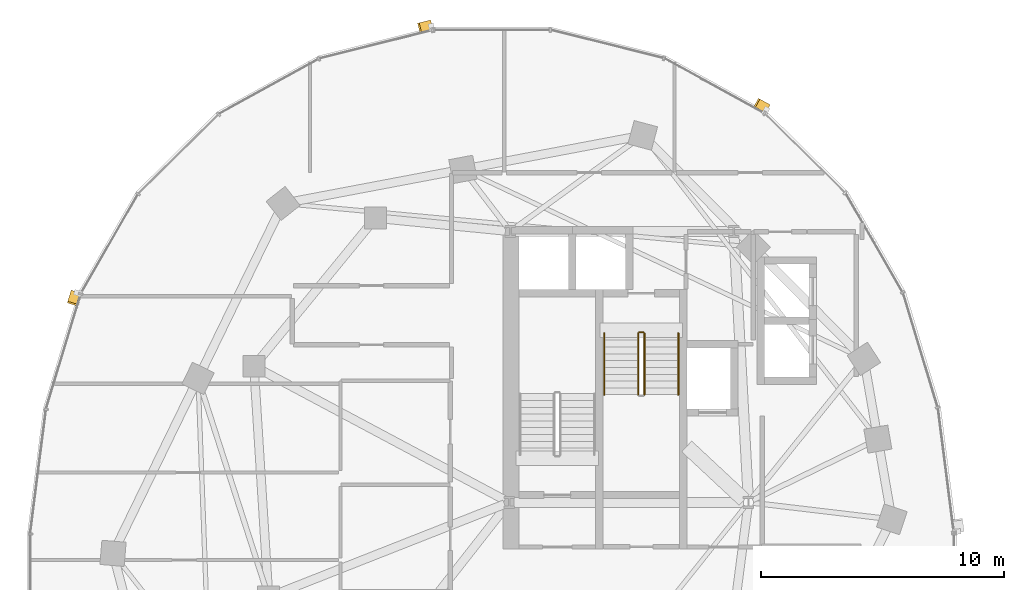
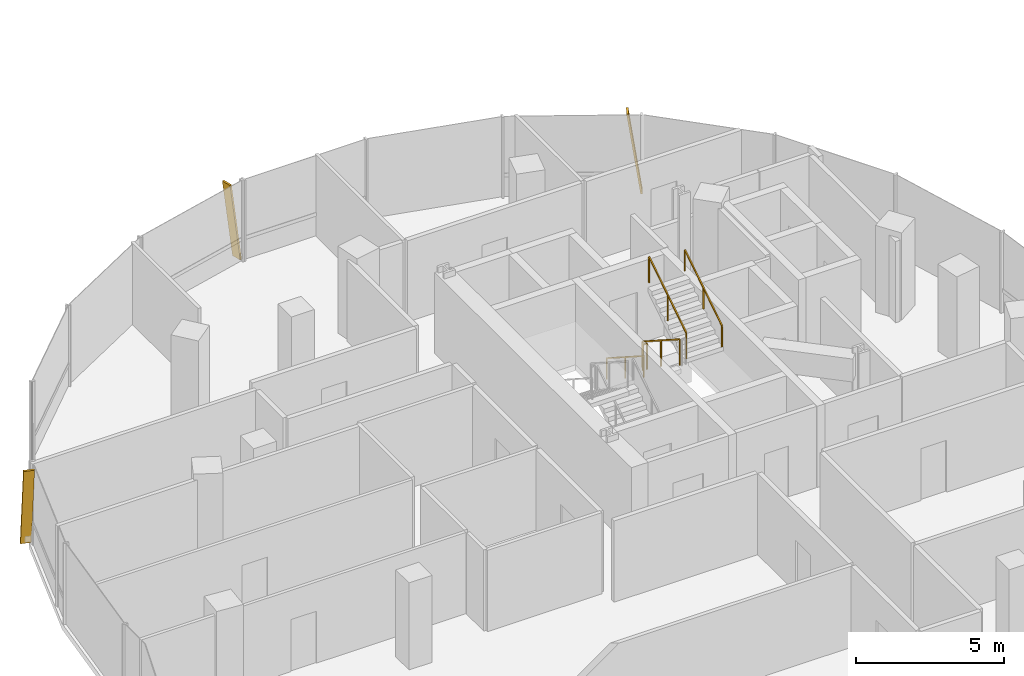
# One storey, part 21 of 23: 5 railings, 3 shading devices.
"""IFC4 building model written with IfcOpenShell, lengths in metres."""

from ifc_helpers import new_model, si_unit, direction, frame, origin, origin_2d, place, context, subcontext, project, spatial, rectangle, extrude, material, material_profile, profile_set, type_object, element, save


model = new_model("IFC4")

# Units and contexts
model_context = context("Model", 3, precision=1e-05, world=origin(), true_north=direction((0.0, 1.0)))
body_context = subcontext(model_context, "Body", "Model", "MODEL_VIEW")
ifc_project = project(units=[si_unit("LENGTHUNIT", "METRE"), si_unit("AREAUNIT", "SQUARE_METRE"), si_unit("VOLUMEUNIT", "CUBIC_METRE"), si_unit("PLANEANGLEUNIT", "RADIAN"), si_unit("MASSUNIT", "GRAM", prefix="KILO"), si_unit("THERMODYNAMICTEMPERATUREUNIT", "KELVIN"), si_unit("POWERUNIT", "WATT")], contexts=[model_context])

# Site, building, storey
site_placement = place(None, origin())
site = spatial("IfcSite", under=ifc_project, at=site_placement, CompositionType="ELEMENT")
building_placement = place(site_placement, origin())
building = spatial("IfcBuilding", under=site, at=building_placement, Name="Cundina Bronze Exchange", CompositionType="ELEMENT")
storey_placement = place(building_placement, frame((0.0, 0.0, 176.39990234375)))
storey = spatial("IfcBuildingStorey", under=building, at=storey_placement, Name="L46", CompositionType="ELEMENT", Elevation=176.39990234375)

# Railings
ifc_material_1 = material(Name="Steel ASTM A36 Painted", Category="steel")
railing_type_1 = type_object("IfcRailingType", Name="RLG-HND-900", PredefinedType="HANDRAIL", material=ifc_material_1)
railing_1_placement = place(storey_placement, frame((-27.389892578125, 10.85009765625, 0.18017578125)))
element("IfcRailing", 1, at=railing_1_placement, inside=storey, type_object=railing_type_1, Name="L46 ST-W2 stair handrail 1", PredefinedType="HANDRAIL", context=body_context, shape_type="SweptSolid", body=[
    extrude(rectangle(XDim=0.048095703125, YDim=0.048095703125, at=origin_2d()), frame((0.0, 0.0, 0.8759765625), z_axis=(0.0, -0.841199657755, 0.540724639528), x_axis=(1.0, 0.0, 0.0)), (0.0, 0.0, 1.0), 2.995849609375),
    extrude(rectangle(XDim=0.0419921875, YDim=0.0419921875, at=origin_2d()), origin(), (0.0, 0.0, 1.0), 0.851806640625),
    extrude(rectangle(XDim=0.0419921875, YDim=0.0419921875, at=origin_2d()), frame((0.0, -1.260009765625, 0.81005859375)), (0.0, 0.0, 1.0), 0.851806640625),
    extrude(rectangle(XDim=0.0419921875, YDim=0.0419921875, at=origin_2d()), frame((0.0, -2.52001953125, 1.619873046875)), (0.0, 0.0, 1.0), 0.851806640625),
])
railing_2_placement = place(storey_placement, frame((-24.330078125, 8.330078125, 1.97998046875)))
element("IfcRailing", 2, at=railing_2_placement, inside=storey, type_object=railing_type_1, Name="L46 ST-W2 stair handrail 2", PredefinedType="HANDRAIL", context=body_context, shape_type="SweptSolid", body=[
    extrude(rectangle(XDim=0.048095703125, YDim=0.048095703125, at=origin_2d()), frame((0.0, 0.0, 0.8759765625), z_axis=(0.0, 0.841162588446, 0.540782303519), x_axis=(-1.0, 0.0, 0.0)), (0.0, 0.0, 1.0), 2.995849609375),
    extrude(rectangle(XDim=0.0419921875, YDim=0.0419921875, at=origin_2d()), origin(), (0.0, 0.0, 1.0), 0.851806640625),
    extrude(rectangle(XDim=0.0419921875, YDim=0.0419921875, at=origin_2d()), frame((0.0, 1.260009765625, 0.81005859375)), (0.0, 0.0, 1.0), 0.851806640625),
    extrude(rectangle(XDim=0.0419921875, YDim=0.0419921875, at=origin_2d()), frame((0.0, 2.52001953125, 1.6201171875)), (0.0, 0.0, 1.0), 0.851806640625),
])
railing_type_2 = type_object("IfcRailingType", Name="RLG-STG-1100", PredefinedType="GUARDRAIL", material=ifc_material_1)
railing_3_placement = place(storey_placement, frame((-25.989990234375, 10.85009765625, 0.18017578125)))
element("IfcRailing", 3, at=railing_3_placement, inside=storey, type_object=railing_type_2, Name="L46 ST-W2 stair guard 1", PredefinedType="GUARDRAIL", context=body_context, shape_type="SweptSolid", body=[
    extrude(rectangle(XDim=0.048095703125, YDim=0.048095703125, at=origin_2d()), frame((0.0, 0.0, 1.076171875), z_axis=(0.0, -0.841199657755, 0.540724639528), x_axis=(1.0, 0.0, 0.0)), (0.0, 0.0, 1.0), 2.995849609375),
    extrude(rectangle(XDim=0.0419921875, YDim=0.0419921875, at=origin_2d()), origin(), (0.0, 0.0, 1.0), 1.052001953125),
    extrude(rectangle(XDim=0.0419921875, YDim=0.0419921875, at=origin_2d()), frame((0.0, -1.260009765625, 0.81005859375)), (0.0, 0.0, 1.0), 1.052001953125),
    extrude(rectangle(XDim=0.0419921875, YDim=0.0419921875, at=origin_2d()), frame((0.0, -2.52001953125, 1.619873046875)), (0.0, 0.0, 1.0), 1.052001953125),
])
railing_4_placement = place(storey_placement, frame((-25.72998046875, 8.330078125, 1.97998046875)))
element("IfcRailing", 4, at=railing_4_placement, inside=storey, type_object=railing_type_2, Name="L46 ST-W2 stair guard 3", PredefinedType="GUARDRAIL", context=body_context, shape_type="SweptSolid", body=[
    extrude(rectangle(XDim=0.048095703125, YDim=0.048095703125, at=origin_2d()), frame((0.0, 0.0, 1.076171875), z_axis=(0.0, 0.841162588446, 0.540782303519), x_axis=(-1.0, 0.0, 0.0)), (0.0, 0.0, 1.0), 2.995849609375),
    extrude(rectangle(XDim=0.0419921875, YDim=0.0419921875, at=origin_2d()), origin(), (0.0, 0.0, 1.0), 1.052001953125),
    extrude(rectangle(XDim=0.0419921875, YDim=0.0419921875, at=origin_2d()), frame((0.0, 1.260009765625, 0.81005859375)), (0.0, 0.0, 1.0), 1.052001953125),
    extrude(rectangle(XDim=0.0419921875, YDim=0.0419921875, at=origin_2d()), frame((0.0, 2.52001953125, 1.6201171875)), (0.0, 0.0, 1.0), 1.052001953125),
])
railing_5_placement = place(storey_placement, frame((-25.93994140625, 10.89990234375, 0.0)))
element("IfcRailing", 5, at=railing_5_placement, inside=storey, type_object=railing_type_2, Name="L46 ST-W2 stair guard 4", PredefinedType="GUARDRAIL", context=body_context, shape_type="SweptSolid", body=[
    extrude(rectangle(XDim=0.048095703125, YDim=0.048095703125, at=origin_2d()), frame((0.0, 0.0, 1.076171875), z_axis=(1.0, 0.0, 0.0), x_axis=(0.0, 1.0, 0.0)), (0.0, 0.0, 1.0), 0.159912109375),
    extrude(rectangle(XDim=0.0419921875, YDim=0.0419921875, at=origin_2d()), origin(), (0.0, 0.0, 1.0), 1.052001953125),
    extrude(rectangle(XDim=0.0419921875, YDim=0.0419921875, at=origin_2d()), frame((0.159912109375, 0.0, 0.0)), (0.0, 0.0, 1.0), 1.052001953125),
])

# Shading devices
ifc_material_2 = material(Name="Anodised Bronze Aluminium 6063-T6", Category="aluminium")
ifc_material_profile = material_profile(ifc_material_2, rectangle(XDim=0.070068359375, YDim=0.3798828125, at=origin_2d()), Name="FIN70X380", Category="aluminium")
ifc_profile_set = profile_set([ifc_material_profile], Name="Anodised Bronze Aluminium 6063-T6")
shading_device_type = type_object("IfcShadingDeviceType", Name="SHD-FIN-BRZ380", PredefinedType="USERDEFINED", material=ifc_profile_set)
for number, where, z_axis, x_axis, name in (
    (6, (-20.679931640625, 20.11181640625, 0.02001953125), (-0.125324460949, 0.068993954111, 0.989713905017), (0.867011652888, -0.477309551067, 0.143060778049), "L46 Diagonal Bronze Solar Fin 5"),
    (7, (-34.51953125, 23.556396484375, 0.02001953125), (-0.138788401144, -0.034715294885, 0.989713407007), (0.960133415413, 0.240159223467, 0.14306422331), "L46 Diagonal Bronze Solar Fin 1"),
    (8, (-49.151123046875, 12.5439453125, 0.02001953125), (-0.041483395017, -0.136967981441, 0.989706471636), (0.286882504107, 0.947215566191, 0.143112193758), "L46 Diagonal Bronze Solar Fin 5"),
):
    element("IfcShadingDevice", number, at=place(storey_placement, frame(where, z_axis=z_axis, x_axis=x_axis)), inside=storey, type_object=shading_device_type, Name=name, ObjectType="FIN", PredefinedType="USERDEFINED", context=body_context, shape_type="SweptSolid", body=[
        extrude(rectangle(XDim=0.070068359375, YDim=0.3798828125, at=origin_2d()), origin(), (0.0, 0.0, 1.0), 3.3544921875),
    ])

save(model, "model.ifc")
